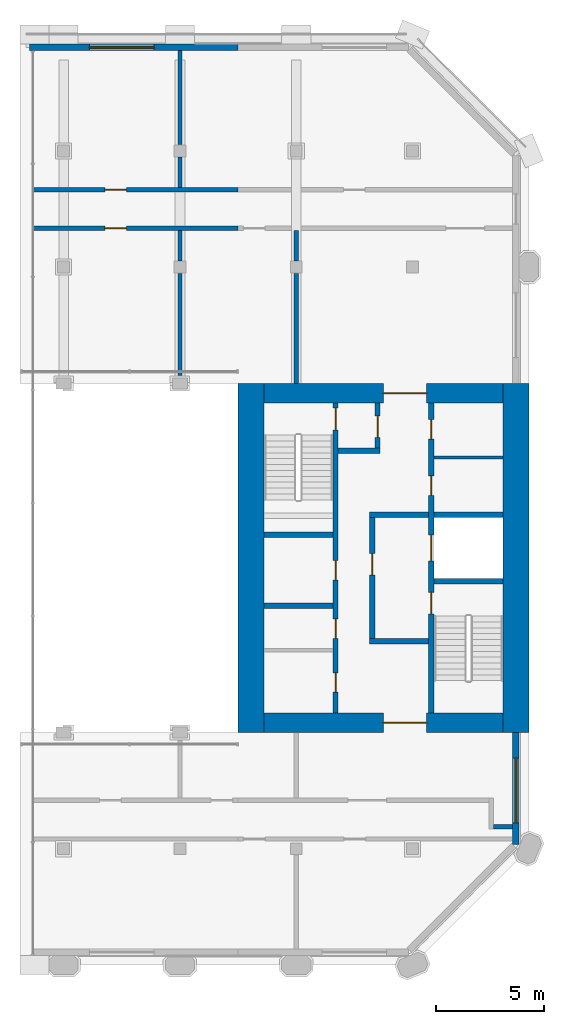
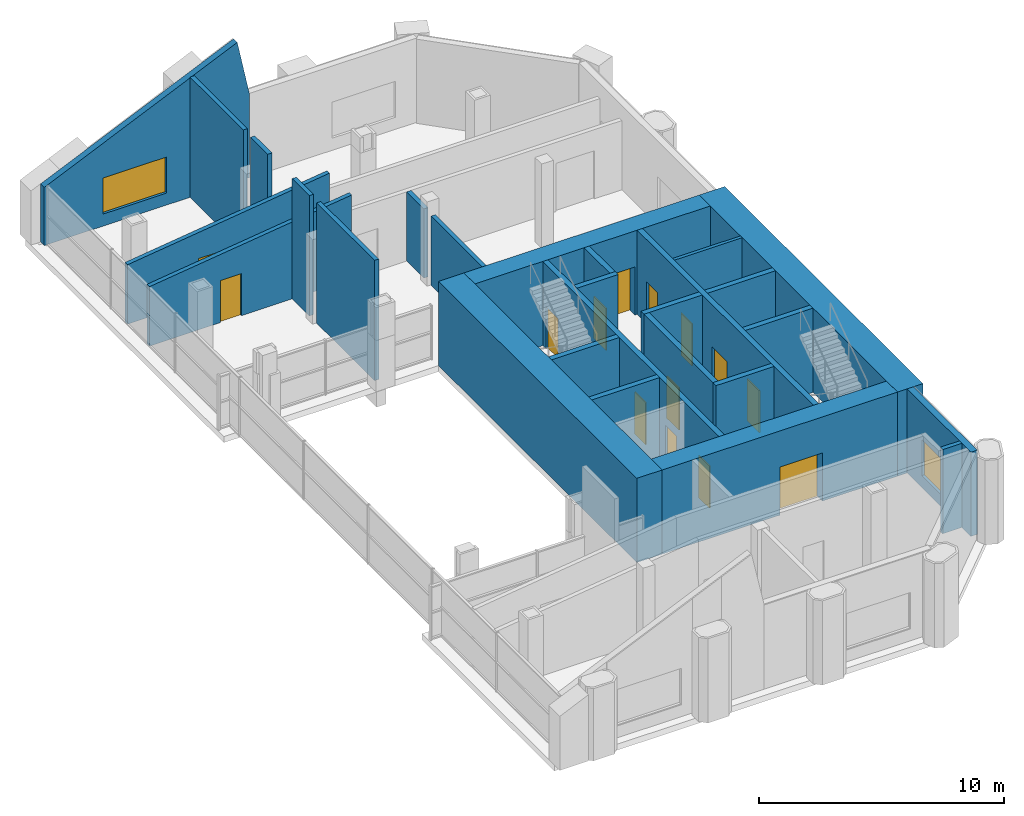
# One storey, part 5 of 8: 27 walls, 14 doors, 2 windows, 16 openings.
"""IFC4 building model written with IfcOpenShell, lengths in metres."""

from ifc_helpers import new_model, si_unit, direction, frame, frame_2d, origin, place, context, subcontext, project, spatial, polyline, rectangle, outline, extrude, material, layer, layer_set, type_object, element, fill, save


model = new_model("IFC4")

# Units and contexts
model_context = context("Model", 3, precision=1e-05, world=origin(), true_north=direction((0.0, 1.0)))
body_context = subcontext(model_context, "Body", "Model", "MODEL_VIEW")
ifc_project = project(units=[si_unit("LENGTHUNIT", "METRE"), si_unit("AREAUNIT", "SQUARE_METRE"), si_unit("VOLUMEUNIT", "CUBIC_METRE"), si_unit("PLANEANGLEUNIT", "RADIAN"), si_unit("MASSUNIT", "GRAM", prefix="KILO")], contexts=[model_context])

# Site, building, storey
site_placement = place(None, origin())
site = spatial("IfcSite", under=ifc_project, at=site_placement, CompositionType="ELEMENT")
building_placement = place(site_placement, origin())
building = spatial("IfcBuilding", under=site, at=building_placement, Name="Tabaq Tower and Sports Hall", CompositionType="ELEMENT")
storey_placement = place(building_placement, frame((0.0, 0.0, 330.699951171875)))
storey = spatial("IfcBuildingStorey", under=building, at=storey_placement, Name="L82", CompositionType="ELEMENT", Elevation=330.699951171875)

# Walls
ifc_material_1 = material(Name="Blockwork", Category="masonry")
ifc_layer_1 = layer(ifc_material_1, 0.14990234375)
ifc_layer_set_1 = layer_set([ifc_layer_1], Name="Core room partition 150 Blockwork")
wall_type_1 = type_object("IfcWallType", Name="Core room partition 150 Blockwork", PredefinedType="PARTITIONING", material=ifc_layer_set_1)
wall_1_placement = place(storey_placement, frame((38.800048828125, 28.962890625, 0.0), z_axis=(0.0, 0.0, 1.0), x_axis=(1.0, 0.0, 0.0)))
element("IfcWall", 1, at=wall_1_placement, inside=storey, type_object=wall_type_1, Name="Core room partition E L82", PredefinedType="PARTITIONING", context=body_context, shape_type="SweptSolid", body=[
    extrude(rectangle(XDim=3.199951171875, YDim=0.14990234375, at=frame_2d((1.60009765625, 0.0))), origin(), (0.0, 0.0, 1.0), 4.199951171875),
])
ifc_material_2 = material(Name="Concrete C40/50", Category="concrete")
ifc_layer_2 = layer(ifc_material_2, 1.199951171875)
ifc_layer_set_2 = layer_set([ifc_layer_2], Name="Core wall 1200 Concrete C40/50")
wall_type_2 = type_object("IfcWallType", Name="Core wall 1200 Concrete C40/50", PredefinedType="SOLIDWALL", material=ifc_layer_set_2)
for number, where, z_axis, x_axis, name in (
    (2, (42.60009765625, 32.39990234375, 0.0), (0.0, 0.0, 1.0), (0.0, -1.0, 0.0), "Core wall E L82"),
    (3, (30.300048828125, 16.199951171875, 0.0), (0.0, 0.0, 1.0), (0.0, 1.0, 0.0), "Core wall E L82"),
):
    element("IfcWall", number, at=place(storey_placement, frame(where, z_axis=z_axis, x_axis=x_axis)), inside=storey, type_object=wall_type_2, Name=name, PredefinedType="SOLIDWALL", context=body_context, shape_type="SweptSolid", body=[
        extrude(rectangle(XDim=16.199951171875, YDim=1.199951171875, at=frame_2d((8.10009765625, 0.0))), origin(), (0.0, 0.0, 1.0), 4.199951171875),
    ])

# Wall, opening, door
ifc_material_3 = material(Name="Concrete C40/50", Category="concrete")
ifc_layer_3 = layer(ifc_material_3, 0.89990234375)
ifc_layer_set_3 = layer_set([ifc_layer_3], Name="Core wall 900 Concrete C40/50")
wall_type_3 = type_object("IfcWallType", Name="Core wall 900 Concrete C40/50", PredefinedType="SOLIDWALL", material=ifc_layer_set_3)
wall_2_placement = place(storey_placement, frame((42.0, 16.64990234375, 0.0), z_axis=(0.0, 0.0, 1.0), x_axis=(-1.0, 0.0, 0.0)))
wall_2 = element("IfcWall", 4, at=wall_2_placement, inside=storey, type_object=wall_type_3, Name="Core wall E L82", PredefinedType="SOLIDWALL", context=body_context, shape_type="SweptSolid", body=[
    extrude(rectangle(XDim=11.10009765625, YDim=0.89990234375, at=frame_2d((5.550048828125, 0.0))), origin(), (0.0, 0.0, 1.0), 4.199951171875),
])
opening_1_placement = place(wall_2_placement, frame((3.550048828125, 0.0, 0.0)))
opening_1 = element("IfcOpeningElement", 5, at=opening_1_placement, cuts=wall_2, Name="Opening PD-EL82-01", PredefinedType="OPENING", context=body_context, shape_type="SweptSolid", body=[
    extrude(rectangle(XDim=2.0, YDim=2.39990234375, at=frame_2d((1.0, 1.199951171875))), frame((0.0, 0.449951171875, 0.0), z_axis=(0.0, -1.0, 0.0), x_axis=(1.0, 0.0, 0.0)), (0.0, 0.0, 1.0), 0.89990234375),
])
ifc_material_4 = material(Name="Steel fire door", Category="steel")
door_type_1 = type_object("IfcDoorType", Name="Core entrance door 2000", OperationType="DOUBLE_DOOR_SINGLE_SWING", PredefinedType="DOOR", material=ifc_material_4)
door_1_placement = place(opening_1_placement, origin())
door_1 = element("IfcDoor", 6, at=door_1_placement, inside=storey, type_object=door_type_1, Name="Core entrance south E L82", OperationType="DOUBLE_DOOR_SINGLE_SWING", OverallHeight=2.39990234375, OverallWidth=2.0, PredefinedType="DOOR", context=body_context, shape_type="SweptSolid", body=[
    extrude(rectangle(XDim=2.0, YDim=2.39990234375, at=frame_2d((1.0, 1.199951171875))), frame((0.0, 0.02490234375, 0.0), z_axis=(0.0, -1.0, 0.0), x_axis=(1.0, 0.0, 0.0)), (0.0, 0.0, 1.0), 0.050048828125),
])
fill(opening_1, door_1)

wall_3_placement = place(storey_placement, frame((30.89990234375, 31.949951171875, 0.0), z_axis=(0.0, 0.0, 1.0), x_axis=(1.0, 0.0, 0.0)))
wall_3 = element("IfcWall", 7, at=wall_3_placement, inside=storey, type_object=wall_type_3, Name="Core wall E L82", PredefinedType="SOLIDWALL", context=body_context, shape_type="SweptSolid", body=[
    extrude(rectangle(XDim=11.10009765625, YDim=0.89990234375, at=frame_2d((5.550048828125, 0.0))), origin(), (0.0, 0.0, 1.0), 4.199951171875),
])
opening_2_placement = place(wall_3_placement, frame((5.550048828125, 0.0, 0.0)))
opening_2 = element("IfcOpeningElement", 8, at=opening_2_placement, cuts=wall_3, Name="Opening PD-EL82-02", PredefinedType="OPENING", context=body_context, shape_type="SweptSolid", body=[
    extrude(rectangle(XDim=2.0, YDim=2.39990234375, at=frame_2d((1.0, 1.199951171875))), frame((0.0, 0.449951171875, 0.0), z_axis=(0.0, -1.0, 0.0), x_axis=(1.0, 0.0, 0.0)), (0.0, 0.0, 1.0), 0.89990234375),
])
door_2_placement = place(opening_2_placement, origin())
door_2 = element("IfcDoor", 9, at=door_2_placement, inside=storey, type_object=door_type_1, Name="Core entrance north E L82", OperationType="DOUBLE_DOOR_SINGLE_SWING", OverallHeight=2.39990234375, OverallWidth=2.0, PredefinedType="DOOR", context=body_context, shape_type="SweptSolid", body=[
    extrude(rectangle(XDim=2.0, YDim=2.39990234375, at=frame_2d((1.0, 1.199951171875))), frame((0.0, 0.02490234375, 0.0), z_axis=(0.0, -1.0, 0.0), x_axis=(1.0, 0.0, 0.0)), (0.0, 0.0, 1.0), 0.050048828125),
])
fill(opening_2, door_2)

# Walls
ifc_material_5 = material(Name="Blockwork", Category="masonry")
ifc_layer_4 = layer(ifc_material_5, 0.199951171875)
ifc_layer_set_4 = layer_set([ifc_layer_4], Name="Fire compartment wall 200 Blockwork")
wall_type_4 = type_object("IfcWallType", Name="Fire compartment wall 200 Blockwork", PredefinedType="PARTITIONING", material=ifc_layer_set_4)
wall_4_placement = place(storey_placement, frame((27.0, 47.84912109375, 0.0), z_axis=(0.0, 0.0, 1.0), x_axis=(0.0, -1.0, 0.0)))
element("IfcWall", 10, at=wall_4_placement, inside=storey, type_object=wall_type_4, Name="Compartment wall L82", PredefinedType="PARTITIONING", context=body_context, shape_type="SweptSolid", body=[
    extrude(rectangle(XDim=4.35400390625, YDim=0.199951171875, at=frame_2d((2.177001953125, 0.0))), origin(), (0.0, 0.0, 1.0), 6.0),
])
wall_5_placement = place(storey_placement, frame((27.0, 42.905029296875, 0.0), z_axis=(0.0, 0.0, 1.0), x_axis=(0.0, -1.0, 0.0)))
element("IfcWall", 11, at=wall_5_placement, inside=storey, type_object=wall_type_4, Name="Compartment wall L82", PredefinedType="PARTITIONING", context=body_context, shape_type="SweptSolid", body=[
    extrude(rectangle(XDim=1.405029296875, YDim=0.199951171875, at=frame_2d((0.70263671875, 0.0))), origin(), (0.0, 0.0, 1.0), 6.0),
])

# Wall, opening, door
wall_6_placement = place(storey_placement, frame((20.175048828125, 41.39990234375, 0.0), z_axis=(0.0, 0.0, 1.0), x_axis=(1.0, 0.0, 0.0)))
wall_6 = element("IfcWall", 12, at=wall_6_placement, inside=storey, type_object=wall_type_4, Name="Compartment wall L82", PredefinedType="PARTITIONING", context=body_context, shape_type="SweptSolid", body=[
    extrude(outline(polyline([(0.0, 0.0), (9.52490234375, 0.0), (9.52490234375, 4.199951171875), (0.0, 2.966796875), (0.0, 0.0)])), frame((0.0, 0.10009765625, 0.0), z_axis=(0.0, -1.0, 0.0), x_axis=(1.0, 0.0, 0.0)), (0.0, 0.0, 1.0), 0.199951171875),
])
opening_3_placement = place(wall_6_placement, frame((3.341064453125, 0.0, 0.0)))
opening_3 = element("IfcOpeningElement", 13, at=opening_3_placement, cuts=wall_6, Name="Opening L82-002", PredefinedType="OPENING", context=body_context, shape_type="SweptSolid", body=[
    extrude(rectangle(XDim=1.0, YDim=2.10009765625, at=frame_2d((0.5, 1.050048828125))), frame((0.0, 0.10009765625, 0.0), z_axis=(0.0, -1.0, 0.0), x_axis=(1.0, 0.0, 0.0)), (0.0, 0.0, 1.0), 0.199951171875),
])
ifc_material_6 = material(Name="Steel fire door", Category="steel")
door_type_2 = type_object("IfcDoorType", Name="Plant room door 1000 left hand", OperationType="SINGLE_SWING_LEFT", PredefinedType="DOOR", material=ifc_material_6)
door_3_placement = place(opening_3_placement, origin())
door_3 = element("IfcDoor", 14, at=door_3_placement, inside=storey, type_object=door_type_2, Name="Plant room door L82-002", OperationType="SINGLE_SWING_LEFT", OverallHeight=2.10009765625, OverallWidth=1.0, PredefinedType="DOOR", context=body_context, shape_type="SweptSolid", body=[
    extrude(rectangle(XDim=1.0, YDim=2.10009765625, at=frame_2d((0.5, 1.050048828125))), frame((0.0, 0.02490234375, 0.0), z_axis=(0.0, -1.0, 0.0), x_axis=(1.0, 0.0, 0.0)), (0.0, 0.0, 1.0), 0.050048828125),
])
fill(opening_3, door_3)

# Walls
wall_7_placement = place(storey_placement, frame((32.39990234375, 32.39990234375, 0.0), z_axis=(0.0, 0.0, 1.0), x_axis=(0.0, 1.0, 0.0)))
element("IfcWall", 15, at=wall_7_placement, inside=storey, type_object=wall_type_4, Name="Compartment wall L82", PredefinedType="PARTITIONING", context=body_context, shape_type="SweptSolid", body=[
    extrude(rectangle(XDim=5.10498046875, YDim=0.199951171875, at=frame_2d((2.552490234375, 0.0))), origin(), (0.0, 0.0, 1.0), 3.449951171875),
])
wall_8_placement = place(storey_placement, frame((32.39990234375, 38.094970703125, 0.0), z_axis=(0.0, 0.0, 1.0), x_axis=(0.0, 1.0, 0.0)))
element("IfcWall", 16, at=wall_8_placement, inside=storey, type_object=wall_type_4, Name="Compartment wall L82", PredefinedType="PARTITIONING", context=body_context, shape_type="SweptSolid", body=[
    extrude(rectangle(XDim=1.405029296875, YDim=0.199951171875, at=frame_2d((0.70263671875, 0.0))), origin(), (0.0, 0.0, 1.0), 3.449951171875),
])
wall_9_placement = place(storey_placement, frame((27.0, 39.5, 0.0), z_axis=(0.0, 0.0, 1.0), x_axis=(0.0, -1.0, 0.0)))
element("IfcWall", 17, at=wall_9_placement, inside=storey, type_object=wall_type_4, Name="Compartment wall L82", PredefinedType="PARTITIONING", context=body_context, shape_type="SweptSolid", body=[
    extrude(rectangle(XDim=1.405029296875, YDim=0.199951171875, at=frame_2d((0.70263671875, 0.0))), origin(), (0.0, 0.0, 1.0), 6.0),
])
wall_10_placement = place(storey_placement, frame((27.0, 37.5048828125, 0.0), z_axis=(0.0, 0.0, 1.0), x_axis=(0.0, -1.0, 0.0)))
element("IfcWall", 18, at=wall_10_placement, inside=storey, type_object=wall_type_4, Name="Compartment wall L82", PredefinedType="PARTITIONING", context=body_context, shape_type="SweptSolid", body=[
    extrude(rectangle(XDim=4.73486328125, YDim=0.199951171875, at=frame_2d((2.367431640625, 0.0))), origin(), (0.0, 0.0, 1.0), 6.0),
])

# Wall, opening, door
wall_11_placement = place(storey_placement, frame((29.699951171875, 39.60009765625, 0.0), z_axis=(0.0, 0.0, 1.0), x_axis=(-1.0, 0.0, 0.0)))
wall_11 = element("IfcWall", 19, at=wall_11_placement, inside=storey, type_object=wall_type_4, Name="Compartment wall L82", PredefinedType="PARTITIONING", context=body_context, shape_type="SweptSolid", body=[
    extrude(outline(polyline([(0.0, 0.0), (9.52490234375, 0.0), (9.52490234375, 2.966796875), (0.0, 4.199951171875), (0.0, 0.0)])), frame((0.0, 0.10009765625, 0.0), z_axis=(0.0, -1.0, 0.0), x_axis=(1.0, 0.0, 0.0)), (0.0, 0.0, 1.0), 0.199951171875),
])
opening_4_placement = place(wall_11_placement, frame((5.18408203125, 0.0, 0.0)))
opening_4 = element("IfcOpeningElement", 20, at=opening_4_placement, cuts=wall_11, Name="Opening L82-004", PredefinedType="OPENING", context=body_context, shape_type="SweptSolid", body=[
    extrude(rectangle(XDim=1.0, YDim=2.10009765625, at=frame_2d((0.5, 1.050048828125))), frame((0.0, 0.10009765625, 0.0), z_axis=(0.0, -1.0, 0.0), x_axis=(1.0, 0.0, 0.0)), (0.0, 0.0, 1.0), 0.199951171875),
])
door_4_placement = place(opening_4_placement, origin())
door_4 = element("IfcDoor", 21, at=door_4_placement, inside=storey, type_object=door_type_2, Name="Plant room door L82-004", OperationType="SINGLE_SWING_LEFT", OverallHeight=2.10009765625, OverallWidth=1.0, PredefinedType="DOOR", context=body_context, shape_type="SweptSolid", body=[
    extrude(rectangle(XDim=1.0, YDim=2.10009765625, at=frame_2d((0.5, 1.050048828125))), frame((0.0, 0.02490234375, 0.0), z_axis=(0.0, -1.0, 0.0), x_axis=(1.0, 0.0, 0.0)), (0.0, 0.0, 1.0), 0.050048828125),
])
fill(opening_4, door_4)

# Wall
wall_12_placement = place(storey_placement, frame((41.550048828125, 11.822998046875, 0.0), z_axis=(0.0, 0.0, 1.0), x_axis=(1.0, 0.0, 0.0)))
element("IfcWall", 22, at=wall_12_placement, inside=storey, type_object=wall_type_4, Name="Compartment wall L82", PredefinedType="PARTITIONING", context=body_context, shape_type="SweptSolid", body=[
    extrude(rectangle(XDim=0.89990234375, YDim=0.199951171875, at=frame_2d((0.449951171875, 0.0))), origin(), (0.0, 0.0, 1.0), 4.199951171875),
])

# Wall, openings, doors
ifc_material_7 = material(Name="Concrete C40/50", Category="concrete")
ifc_layer_5 = layer(ifc_material_7, 0.25)
ifc_layer_set_5 = layer_set([ifc_layer_5], Name="Shaft and stair wall 250 Concrete C40/50")
wall_type_5 = type_object("IfcWallType", Name="Shaft and stair wall 250 Concrete C40/50", PredefinedType="SOLIDWALL", material=ifc_layer_set_5)
wall_13_placement = place(storey_placement, frame((38.675048828125, 17.10009765625, 0.0), z_axis=(0.0, 0.0, 1.0), x_axis=(0.0, 1.0, 0.0)))
wall_13 = element("IfcWall", 23, at=wall_13_placement, inside=storey, type_object=wall_type_5, Name="Shaft wall E L82", PredefinedType="SOLIDWALL", context=body_context, shape_type="SweptSolid", body=[
    extrude(rectangle(XDim=14.39990234375, YDim=0.25, at=frame_2d((7.199951171875, 0.0))), origin(), (0.0, 0.0, 1.0), 4.199951171875),
])
opening_5_placement = place(wall_13_placement, frame((4.60009765625, 0.0, 0.0)))
opening_5 = element("IfcOpeningElement", 24, at=opening_5_placement, cuts=wall_13, Name="Opening SD-EL82-03", PredefinedType="OPENING", context=body_context, shape_type="SweptSolid", body=[
    extrude(rectangle(XDim=1.0, YDim=2.10009765625, at=frame_2d((0.5, 1.050048828125))), frame((0.0, 0.125, 0.0), z_axis=(0.0, -1.0, 0.0), x_axis=(1.0, 0.0, 0.0)), (0.0, 0.0, 1.0), 0.25),
])
opening_6_placement = place(wall_13_placement, frame((7.0625, 0.0, 0.0)))
opening_6 = element("IfcOpeningElement", 25, at=opening_6_placement, cuts=wall_13, Name="Opening LD-FF2-L82", PredefinedType="OPENING", context=body_context, shape_type="SweptSolid", body=[
    extrude(rectangle(XDim=1.199951171875, YDim=2.10009765625, at=frame_2d((0.60009765625, 1.050048828125))), frame((0.0, 0.125, 0.0), z_axis=(0.0, -1.0, 0.0), x_axis=(1.0, 0.0, 0.0)), (0.0, 0.0, 1.0), 0.25),
])
opening_7_placement = place(wall_13_placement, frame((10.1064453125, 0.0, 0.0)))
opening_7 = element("IfcOpeningElement", 26, at=opening_7_placement, cuts=wall_13, Name="Opening RD-EL82-08", PredefinedType="OPENING", context=body_context, shape_type="SweptSolid", body=[
    extrude(rectangle(XDim=0.89990234375, YDim=2.10009765625, at=frame_2d((0.449951171875, 1.050048828125))), frame((0.0, 0.125, 0.0), z_axis=(0.0, -1.0, 0.0), x_axis=(1.0, 0.0, 0.0)), (0.0, 0.0, 1.0), 0.25),
])
opening_8_placement = place(wall_13_placement, frame((12.718994140625, 0.0, 0.0)))
opening_8 = element("IfcOpeningElement", 27, at=opening_8_placement, cuts=wall_13, Name="Opening RD-EL82-09", PredefinedType="OPENING", context=body_context, shape_type="SweptSolid", body=[
    extrude(rectangle(XDim=0.89990234375, YDim=2.10009765625, at=frame_2d((0.449951171875, 1.050048828125))), frame((0.0, 0.125, 0.0), z_axis=(0.0, -1.0, 0.0), x_axis=(1.0, 0.0, 0.0)), (0.0, 0.0, 1.0), 0.25),
])
ifc_material_8 = material(Name="Steel fire door", Category="steel")
door_type_3 = type_object("IfcDoorType", Name="Core room door 900", OperationType="SINGLE_SWING_LEFT", PredefinedType="DOOR", material=ifc_material_8)
door_5_placement = place(opening_7_placement, origin())
door_5 = element("IfcDoor", 28, at=door_5_placement, inside=storey, type_object=door_type_3, Name="Door Store Room E L82", OperationType="SINGLE_SWING_LEFT", OverallHeight=2.10009765625, OverallWidth=0.89990234375, PredefinedType="DOOR", context=body_context, shape_type="SweptSolid", body=[
    extrude(rectangle(XDim=0.89990234375, YDim=2.10009765625, at=frame_2d((0.449951171875, 1.050048828125))), frame((0.0, 0.02490234375, 0.0), z_axis=(0.0, -1.0, 0.0), x_axis=(1.0, 0.0, 0.0)), (0.0, 0.0, 1.0), 0.050048828125),
])
fill(opening_7, door_5)
door_6_placement = place(opening_8_placement, origin())
door_6 = element("IfcDoor", 29, at=door_6_placement, inside=storey, type_object=door_type_3, Name="Door Riser Room E L82", OperationType="SINGLE_SWING_LEFT", OverallHeight=2.10009765625, OverallWidth=0.89990234375, PredefinedType="DOOR", context=body_context, shape_type="SweptSolid", body=[
    extrude(rectangle(XDim=0.89990234375, YDim=2.10009765625, at=frame_2d((0.449951171875, 1.050048828125))), frame((0.0, 0.02490234375, 0.0), z_axis=(0.0, -1.0, 0.0), x_axis=(1.0, 0.0, 0.0)), (0.0, 0.0, 1.0), 0.050048828125),
])
fill(opening_8, door_6)
ifc_material_9 = material(Name="Stainless steel", Category="steel")
door_type_4 = type_object("IfcDoorType", Name="Lift landing door 1200", OperationType="DOUBLE_DOOR_SLIDING", PredefinedType="DOOR", material=ifc_material_9)
door_7_placement = place(opening_6_placement, origin())
door_7 = element("IfcDoor", 30, at=door_7_placement, inside=storey, type_object=door_type_4, Name="Lift landing door FF2 E L82", OperationType="DOUBLE_DOOR_SLIDING", OverallHeight=2.10009765625, OverallWidth=1.199951171875, PredefinedType="DOOR", context=body_context, shape_type="SweptSolid", body=[
    extrude(rectangle(XDim=1.199951171875, YDim=2.10009765625, at=frame_2d((0.60009765625, 1.050048828125))), frame((0.0, 0.02490234375, 0.0), z_axis=(0.0, -1.0, 0.0), x_axis=(1.0, 0.0, 0.0)), (0.0, 0.0, 1.0), 0.050048828125),
])
fill(opening_6, door_7)
ifc_material_10 = material(Name="Steel fire door", Category="steel")
door_type_5 = type_object("IfcDoorType", Name="Stair door 1000", OperationType="SINGLE_SWING_LEFT", PredefinedType="DOOR", material=ifc_material_10)
door_8_placement = place(opening_5_placement, origin())
door_8 = element("IfcDoor", 31, at=door_8_placement, inside=storey, type_object=door_type_5, Name="Stair door ST3 E L82", OperationType="SINGLE_SWING_LEFT", OverallHeight=2.10009765625, OverallWidth=1.0, PredefinedType="DOOR", context=body_context, shape_type="SweptSolid", body=[
    extrude(rectangle(XDim=1.0, YDim=2.10009765625, at=frame_2d((0.5, 1.050048828125))), frame((0.0, 0.02490234375, 0.0), z_axis=(0.0, -1.0, 0.0), x_axis=(1.0, 0.0, 0.0)), (0.0, 0.0, 1.0), 0.050048828125),
])
fill(opening_5, door_8)

wall_14_placement = place(storey_placement, frame((34.22509765625, 17.10009765625, 0.0), z_axis=(0.0, 0.0, 1.0), x_axis=(0.0, 1.0, 0.0)))
wall_14 = element("IfcWall", 32, at=wall_14_placement, inside=storey, type_object=wall_type_5, Name="Shaft wall E L82", PredefinedType="SOLIDWALL", context=body_context, shape_type="SweptSolid", body=[
    extrude(rectangle(XDim=14.39990234375, YDim=0.25, at=frame_2d((7.199951171875, 0.0))), origin(), (0.0, 0.0, 1.0), 4.199951171875),
])
opening_9_placement = place(wall_14_placement, frame((13.14990234375, 0.0, 0.0)))
opening_9 = element("IfcOpeningElement", 33, at=opening_9_placement, cuts=wall_14, Name="Opening SD-EL82-05", PredefinedType="OPENING", context=body_context, shape_type="SweptSolid", body=[
    extrude(rectangle(XDim=1.0, YDim=2.10009765625, at=frame_2d((0.5, 1.050048828125))), frame((0.0, 0.125, 0.0), z_axis=(0.0, -1.0, 0.0), x_axis=(1.0, 0.0, 0.0)), (0.0, 0.0, 1.0), 0.25),
])
opening_10_placement = place(wall_14_placement, frame((0.967529296875, 0.0, 0.0)))
opening_10 = element("IfcOpeningElement", 34, at=opening_10_placement, cuts=wall_14, Name="Opening RD-EL82-10", PredefinedType="OPENING", context=body_context, shape_type="SweptSolid", body=[
    extrude(rectangle(XDim=0.89990234375, YDim=2.10009765625, at=frame_2d((0.449951171875, 1.050048828125))), frame((0.0, 0.125, 0.0), z_axis=(0.0, -1.0, 0.0), x_axis=(1.0, 0.0, 0.0)), (0.0, 0.0, 1.0), 0.25),
])
opening_11_placement = place(wall_14_placement, frame((3.467529296875, 0.0, 0.0)))
opening_11 = element("IfcOpeningElement", 35, at=opening_11_placement, cuts=wall_14, Name="Opening RD-EL82-11", PredefinedType="OPENING", context=body_context, shape_type="SweptSolid", body=[
    extrude(rectangle(XDim=0.89990234375, YDim=2.10009765625, at=frame_2d((0.449951171875, 1.050048828125))), frame((0.0, 0.125, 0.0), z_axis=(0.0, -1.0, 0.0), x_axis=(1.0, 0.0, 0.0)), (0.0, 0.0, 1.0), 0.25),
])
opening_12_placement = place(wall_14_placement, frame((6.175048828125, 0.0, 0.0)))
opening_12 = element("IfcOpeningElement", 36, at=opening_12_placement, cuts=wall_14, Name="Opening RD-EL82-12", PredefinedType="OPENING", context=body_context, shape_type="SweptSolid", body=[
    extrude(rectangle(XDim=0.89990234375, YDim=2.10009765625, at=frame_2d((0.449951171875, 1.050048828125))), frame((0.0, 0.125, 0.0), z_axis=(0.0, -1.0, 0.0), x_axis=(1.0, 0.0, 0.0)), (0.0, 0.0, 1.0), 0.25),
])
door_9_placement = place(opening_10_placement, origin())
door_9 = element("IfcDoor", 37, at=door_9_placement, inside=storey, type_object=door_type_3, Name="Door Plant Room E L82", OperationType="SINGLE_SWING_LEFT", OverallHeight=2.10009765625, OverallWidth=0.89990234375, PredefinedType="DOOR", context=body_context, shape_type="SweptSolid", body=[
    extrude(rectangle(XDim=0.89990234375, YDim=2.10009765625, at=frame_2d((0.449951171875, 1.050048828125))), frame((0.0, 0.02490234375, 0.0), z_axis=(0.0, -1.0, 0.0), x_axis=(1.0, 0.0, 0.0)), (0.0, 0.0, 1.0), 0.050048828125),
])
fill(opening_10, door_9)
door_10_placement = place(opening_11_placement, origin())
door_10 = element("IfcDoor", 38, at=door_10_placement, inside=storey, type_object=door_type_3, Name="Door Plant Control Room E L82", OperationType="SINGLE_SWING_LEFT", OverallHeight=2.10009765625, OverallWidth=0.89990234375, PredefinedType="DOOR", context=body_context, shape_type="SweptSolid", body=[
    extrude(rectangle(XDim=0.89990234375, YDim=2.10009765625, at=frame_2d((0.449951171875, 1.050048828125))), frame((0.0, 0.02490234375, 0.0), z_axis=(0.0, -1.0, 0.0), x_axis=(1.0, 0.0, 0.0)), (0.0, 0.0, 1.0), 0.050048828125),
])
fill(opening_11, door_10)
door_11_placement = place(opening_12_placement, origin())
door_11 = element("IfcDoor", 39, at=door_11_placement, inside=storey, type_object=door_type_3, Name="Door Riser Room E L82", OperationType="SINGLE_SWING_LEFT", OverallHeight=2.10009765625, OverallWidth=0.89990234375, PredefinedType="DOOR", context=body_context, shape_type="SweptSolid", body=[
    extrude(rectangle(XDim=0.89990234375, YDim=2.10009765625, at=frame_2d((0.449951171875, 1.050048828125))), frame((0.0, 0.02490234375, 0.0), z_axis=(0.0, -1.0, 0.0), x_axis=(1.0, 0.0, 0.0)), (0.0, 0.0, 1.0), 0.050048828125),
])
fill(opening_12, door_11)
door_12_placement = place(opening_9_placement, origin())
door_12 = element("IfcDoor", 40, at=door_12_placement, inside=storey, type_object=door_type_5, Name="Stair door ST4 E L82", OperationType="SINGLE_SWING_LEFT", OverallHeight=2.10009765625, OverallWidth=1.0, PredefinedType="DOOR", context=body_context, shape_type="SweptSolid", body=[
    extrude(rectangle(XDim=1.0, YDim=2.10009765625, at=frame_2d((0.5, 1.050048828125))), frame((0.0, 0.02490234375, 0.0), z_axis=(0.0, -1.0, 0.0), x_axis=(1.0, 0.0, 0.0)), (0.0, 0.0, 1.0), 0.050048828125),
])
fill(opening_9, door_12)

# Walls
wall_15_placement = place(storey_placement, frame((38.800048828125, 23.22509765625, 0.0), z_axis=(0.0, 0.0, 1.0), x_axis=(1.0, 0.0, 0.0)))
element("IfcWall", 41, at=wall_15_placement, inside=storey, type_object=wall_type_5, Name="Stair enclosure wall E L82", PredefinedType="SOLIDWALL", context=body_context, shape_type="SweptSolid", body=[
    extrude(rectangle(XDim=3.199951171875, YDim=0.25, at=frame_2d((1.60009765625, 0.0))), origin(), (0.0, 0.0, 1.0), 4.199951171875),
])
for number, where, z_axis, x_axis, name in (
    (42, (30.89990234375, 25.375, 0.0), (0.0, 0.0, 1.0), (1.0, 0.0, 0.0), "Stair enclosure wall E L82"),
    (43, (30.89990234375, 22.074951171875, 0.0), (0.0, 0.0, 1.0), (1.0, 0.0, 0.0), "Shaft wall E L82"),
):
    element("IfcWall", number, at=place(storey_placement, frame(where, z_axis=z_axis, x_axis=x_axis)), inside=storey, type_object=wall_type_5, Name=name, PredefinedType="SOLIDWALL", context=body_context, shape_type="SweptSolid", body=[
        extrude(rectangle(XDim=3.2001953125, YDim=0.25, at=frame_2d((1.60009765625, 0.0))), origin(), (0.0, 0.0, 1.0), 4.199951171875),
    ])
wall_16_placement = place(storey_placement, frame((38.800048828125, 26.300048828125, 0.0), z_axis=(0.0, 0.0, 1.0), x_axis=(1.0, 0.0, 0.0)))
element("IfcWall", 44, at=wall_16_placement, inside=storey, type_object=wall_type_5, Name="Shaft wall E L82", PredefinedType="SOLIDWALL", context=body_context, shape_type="SweptSolid", body=[
    extrude(rectangle(XDim=3.199951171875, YDim=0.25, at=frame_2d((1.60009765625, 0.0))), origin(), (0.0, 0.0, 1.0), 4.199951171875),
])
for number, where, z_axis, x_axis, name in (
    (45, (35.800048828125, 26.300048828125, 0.0), (0.0, 0.0, 1.0), (1.0, 0.0, 0.0), "Fire-fighting lobby wall E L82"),
    (46, (35.800048828125, 20.425048828125, 0.0), (0.0, 0.0, 1.0), (1.0, 0.0, 0.0), "Fire-fighting lobby wall E L82"),
):
    element("IfcWall", number, at=place(storey_placement, frame(where, z_axis=z_axis, x_axis=x_axis)), inside=storey, type_object=wall_type_5, Name=name, PredefinedType="SOLIDWALL", context=body_context, shape_type="SweptSolid", body=[
        extrude(rectangle(XDim=2.75, YDim=0.25, at=frame_2d((1.375, 0.0))), origin(), (0.0, 0.0, 1.0), 4.199951171875),
    ])

# Wall, opening, door
wall_17_placement = place(storey_placement, frame((36.175048828125, 29.39990234375, 0.0), z_axis=(0.0, 0.0, 1.0), x_axis=(0.0, 1.0, 0.0)))
wall_17 = element("IfcWall", 47, at=wall_17_placement, inside=storey, type_object=wall_type_5, Name="Fire-fighting lobby wall E L82", PredefinedType="SOLIDWALL", context=body_context, shape_type="SweptSolid", body=[
    extrude(rectangle(XDim=2.10009765625, YDim=0.25, at=frame_2d((1.050048828125, 0.0))), origin(), (0.0, 0.0, 1.0), 4.199951171875),
])
opening_13_placement = place(wall_17_placement, frame((0.5, 0.0, 0.0)))
opening_13 = element("IfcOpeningElement", 48, at=opening_13_placement, cuts=wall_17, Name="Opening FD-EL82-06", PredefinedType="OPENING", context=body_context, shape_type="SweptSolid", body=[
    extrude(rectangle(XDim=1.0, YDim=2.10009765625, at=frame_2d((0.5, 1.050048828125))), frame((0.0, 0.125, 0.0), z_axis=(0.0, -1.0, 0.0), x_axis=(1.0, 0.0, 0.0)), (0.0, 0.0, 1.0), 0.25),
])
ifc_material_11 = material(Name="Steel fire door", Category="steel")
door_type_6 = type_object("IfcDoorType", Name="Fire-fighting lobby door 1000", OperationType="SINGLE_SWING_LEFT", PredefinedType="DOOR", material=ifc_material_11)
door_13_placement = place(opening_13_placement, origin())
door_13 = element("IfcDoor", 49, at=door_13_placement, inside=storey, type_object=door_type_6, Name="Stair lobby door E L82", OperationType="SINGLE_SWING_LEFT", OverallHeight=2.10009765625, OverallWidth=1.0, PredefinedType="DOOR", context=body_context, shape_type="SweptSolid", body=[
    extrude(rectangle(XDim=1.0, YDim=2.10009765625, at=frame_2d((0.5, 1.050048828125))), frame((0.0, 0.02490234375, 0.0), z_axis=(0.0, -1.0, 0.0), x_axis=(1.0, 0.0, 0.0)), (0.0, 0.0, 1.0), 0.050048828125),
])
fill(opening_13, door_13)

# Wall
wall_18_placement = place(storey_placement, frame((34.35009765625, 29.27490234375, 0.0), z_axis=(0.0, 0.0, 1.0), x_axis=(1.0, 0.0, 0.0)))
element("IfcWall", 50, at=wall_18_placement, inside=storey, type_object=wall_type_5, Name="Fire-fighting lobby wall E L82", PredefinedType="SOLIDWALL", context=body_context, shape_type="SweptSolid", body=[
    extrude(rectangle(XDim=1.949951171875, YDim=0.25, at=frame_2d((0.97509765625, 0.0))), origin(), (0.0, 0.0, 1.0), 4.199951171875),
])

# Wall, opening, door
wall_19_placement = place(storey_placement, frame((35.925048828125, 20.550048828125, 0.0), z_axis=(0.0, 0.0, 1.0), x_axis=(0.0, 1.0, 0.0)))
wall_19 = element("IfcWall", 51, at=wall_19_placement, inside=storey, type_object=wall_type_5, Name="Fire-fighting lobby wall E L82", PredefinedType="SOLIDWALL", context=body_context, shape_type="SweptSolid", body=[
    extrude(rectangle(XDim=5.625, YDim=0.25, at=frame_2d((2.8125, 0.0))), origin(), (0.0, 0.0, 1.0), 4.199951171875),
])
opening_14_placement = place(wall_19_placement, frame((2.949951171875, 0.0, 0.0)))
opening_14 = element("IfcOpeningElement", 52, at=opening_14_placement, cuts=wall_19, Name="Opening FD-EL82-04", PredefinedType="OPENING", context=body_context, shape_type="SweptSolid", body=[
    extrude(rectangle(XDim=1.0, YDim=2.10009765625, at=frame_2d((0.5, 1.050048828125))), frame((0.0, 0.125, 0.0), z_axis=(0.0, -1.0, 0.0), x_axis=(1.0, 0.0, 0.0)), (0.0, 0.0, 1.0), 0.25),
])
door_14_placement = place(opening_14_placement, origin())
door_14 = element("IfcDoor", 53, at=door_14_placement, inside=storey, type_object=door_type_6, Name="Fire-fighting lobby door E L82", OperationType="SINGLE_SWING_LEFT", OverallHeight=2.10009765625, OverallWidth=1.0, PredefinedType="DOOR", context=body_context, shape_type="SweptSolid", body=[
    extrude(rectangle(XDim=1.0, YDim=2.10009765625, at=frame_2d((0.5, 1.050048828125))), frame((0.0, 0.02490234375, 0.0), z_axis=(0.0, -1.0, 0.0), x_axis=(1.0, 0.0, 0.0)), (0.0, 0.0, 1.0), 0.050048828125),
])
fill(opening_14, door_14)

# Wall, opening, window
ifc_material_12 = material(Name="White precast concrete C60/75", Category="concrete")
ifc_layer_6 = layer(ifc_material_12, 0.300048828125)
ifc_layer_set_6 = layer_set([ifc_layer_6], Name="White precast concrete C60/75 external wall 300")
wall_type_6 = type_object("IfcWallType", Name="White precast concrete C60/75 external wall 300", PredefinedType="SOLIDWALL", material=ifc_layer_set_6)
wall_20_placement = place(storey_placement, frame((42.60009765625, 10.986328125, 0.0), z_axis=(0.0, 0.0, 1.0), x_axis=(0.0, 1.0, 0.0)))
wall_20 = element("IfcWall", 54, at=wall_20_placement, inside=storey, type_object=wall_type_6, Name="External Wall L82 E", PredefinedType="SOLIDWALL", context=body_context, shape_type="SweptSolid", body=[
    extrude(outline(polyline([(0.0, 0.0), (5.213623046875, 0.0), (5.213623046875, 4.199951171875), (4.63427734375, 4.199951171875), (4.054931640625, 4.199951171875), (3.475830078125, 4.199951171875), (2.896484375, 4.199951171875), (2.317138671875, 4.199951171875), (1.73779296875, 4.199951171875), (1.15869140625, 4.199951171875), (0.579345703125, 4.199951171875), (0.0, 4.199951171875), (0.0, 0.0)])), frame((0.0, 0.14990234375, 0.0), z_axis=(0.0, -1.0, 0.0), x_axis=(1.0, 0.0, 0.0)), (0.0, 0.0, 1.0), 0.300048828125),
])
opening_15_placement = place(wall_20_placement, frame((1.013671875, 0.0, 0.60009765625)))
opening_15 = element("IfcOpeningElement", 55, at=opening_15_placement, cuts=wall_20, Name="Opening LV1", PredefinedType="OPENING", context=body_context, shape_type="SweptSolid", body=[
    extrude(rectangle(XDim=3.0, YDim=1.800048828125, at=frame_2d((1.5, 0.89990234375))), frame((0.0, 0.16015625, 0.0), z_axis=(0.0, -1.0, 0.0), x_axis=(1.0, 0.0, 0.0)), (0.0, 0.0, 1.0), 0.320068359375),
])
ifc_material_13 = material(Name="Aluminium alloy 6063-T6 louvre blades", Category="aluminium")
window_type = type_object("IfcWindowType", Name="Plant louvre LV1", PartitioningType="SINGLE_PANEL", PredefinedType="WINDOW", material=ifc_material_13)
window_1_placement = place(opening_15_placement, origin())
window_1 = element("IfcWindow", 56, at=window_1_placement, inside=storey, type_object=window_type, Name="Plant louvre L82", OverallHeight=1.800048828125, OverallWidth=3.0, PartitioningType="SINGLE_PANEL", PredefinedType="WINDOW", context=body_context, shape_type="SweptSolid", body=[
    extrude(rectangle(XDim=3.0, YDim=1.800048828125, at=frame_2d((1.5, 0.89990234375))), frame((0.0, 0.030029296875, 0.0), z_axis=(0.0, -1.0, 0.0), x_axis=(1.0, 0.0, 0.0)), (0.0, 0.0, 1.0), 0.06005859375),
])
fill(opening_15, window_1)

wall_21_placement = place(storey_placement, frame((29.699951171875, 48.0, 0.0), z_axis=(0.0, 0.0, 1.0), x_axis=(-1.0, 0.0, 0.0)))
wall_21 = element("IfcWall", 57, at=wall_21_placement, inside=storey, type_object=wall_type_6, Name="External Wall L82 N", PredefinedType="SOLIDWALL", context=body_context, shape_type="SweptSolid", body=[
    extrude(outline(polyline([(0.0, 0.0), (9.675048828125, 0.0), (9.675048828125, 2.900146484375), (9.10595703125, 3.153076171875), (8.536865234375, 3.406005859375), (7.967529296875, 3.658935546875), (7.3984375, 3.911865234375), (6.829345703125, 4.164794921875), (6.26025390625, 4.417724609375), (5.691162109375, 4.670654296875), (5.1220703125, 4.923583984375), (4.552978515625, 5.176513671875), (3.98388671875, 5.429443359375), (3.414794921875, 5.682373046875), (2.845703125, 5.935302734375), (2.2763671875, 6.188232421875), (1.707275390625, 6.441162109375), (1.13818359375, 6.694091796875), (0.569091796875, 6.947021484375), (0.0, 4.199951171875), (0.0, 0.0)])), frame((0.0, 0.14990234375, 0.0), z_axis=(0.0, -1.0, 0.0), x_axis=(1.0, 0.0, 0.0)), (0.0, 0.0, 1.0), 0.300048828125),
])
opening_16_placement = place(wall_21_placement, frame((3.89990234375, 0.0, 0.60009765625)))
opening_16 = element("IfcOpeningElement", 58, at=opening_16_placement, cuts=wall_21, Name="Opening LV1", PredefinedType="OPENING", context=body_context, shape_type="SweptSolid", body=[
    extrude(rectangle(XDim=3.0, YDim=1.800048828125, at=frame_2d((1.5, 0.89990234375))), frame((0.0, 0.16015625, 0.0), z_axis=(0.0, -1.0, 0.0), x_axis=(1.0, 0.0, 0.0)), (0.0, 0.0, 1.0), 0.320068359375),
])
window_2_placement = place(opening_16_placement, origin())
window_2 = element("IfcWindow", 59, at=window_2_placement, inside=storey, type_object=window_type, Name="Plant louvre L82", OverallHeight=1.800048828125, OverallWidth=3.0, PartitioningType="SINGLE_PANEL", PredefinedType="WINDOW", context=body_context, shape_type="SweptSolid", body=[
    extrude(rectangle(XDim=3.0, YDim=1.800048828125, at=frame_2d((1.5, 0.89990234375))), frame((0.0, 0.030029296875, 0.0), z_axis=(0.0, -1.0, 0.0), x_axis=(1.0, 0.0, 0.0)), (0.0, 0.0, 1.0), 0.06005859375),
])
fill(opening_16, window_2)

save(model, "model.ifc")
